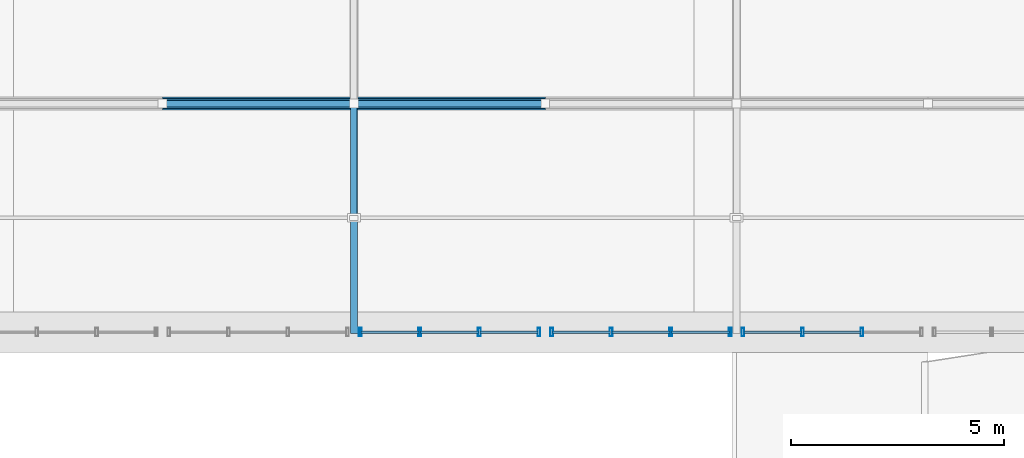
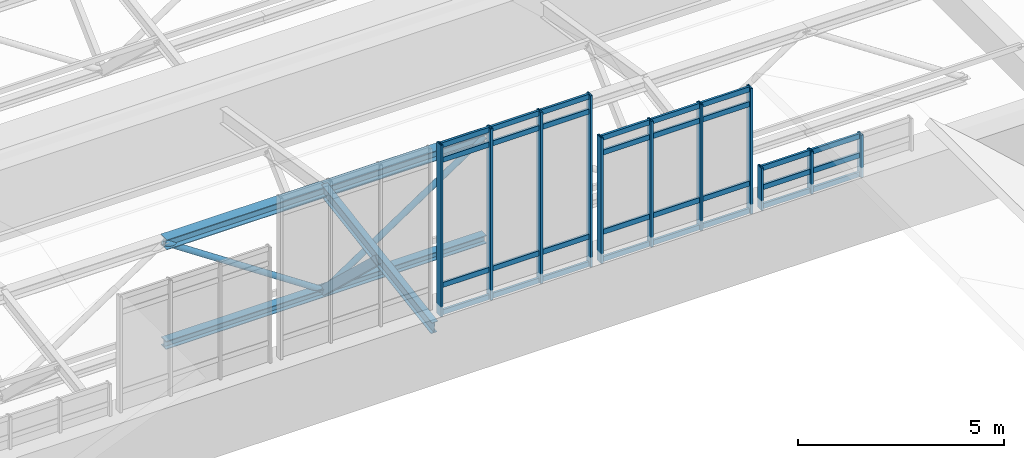
# One storey, part 52 of 82: 49 members, 3 elements without a shape of their own.
"""IFC4 building model written with IfcOpenShell, lengths in metres."""

from ifc_helpers import new_model, si_unit, direction, frame, origin, origin_2d, place, context, subcontext, project, spatial, hollow_rectangle, hollow_circle, i_section, extrude, material, layer, layer_set, material_profile, profile_set, type_object, element, aggregate, save


model = new_model("IFC4")

# Units and contexts
model_context = context("Model", 3, precision=1e-05, world=origin(), true_north=direction((0.0, 1.0)))
body_context = subcontext(model_context, "Body", "Model", "MODEL_VIEW")
ifc_project = project(units=[si_unit("LENGTHUNIT", "METRE"), si_unit("AREAUNIT", "SQUARE_METRE"), si_unit("VOLUMEUNIT", "CUBIC_METRE"), si_unit("PLANEANGLEUNIT", "RADIAN"), si_unit("MASSUNIT", "GRAM", prefix="KILO")], contexts=[model_context])

# Site, building, storey
site_placement = place(None, origin())
site = spatial("IfcSite", under=ifc_project, at=site_placement, CompositionType="ELEMENT")
building_placement = place(site_placement, origin())
building = spatial("IfcBuilding", under=site, at=building_placement, Name="Mersad Railyard Sports Hall", CompositionType="ELEMENT")
storey_placement = place(building_placement, frame((0.0, 0.0, 13.199951171875)))
storey = spatial("IfcBuildingStorey", under=building, at=storey_placement, Name="L03", CompositionType="ELEMENT", Elevation=13.199951171875)

# Curtain wall, members
ifc_material_1 = material(Name="Aluminium 6063-T6", Category="aluminium")
ifc_layer_1 = layer(ifc_material_1, 0.199951171875)
ifc_layer_set_1 = layer_set([ifc_layer_1], Name="Aluminium 6063-T6")
curtain_wall_type_1 = type_object("IfcCurtainWallType", Name="ARC-CW-CW47", PredefinedType="USERDEFINED", material=ifc_layer_set_1)
curtain_wall_1_placement = place(storey_placement, origin())
curtain_wall_1 = element("IfcCurtainWall", 1, at=curtain_wall_1_placement, inside=storey, type_object=curtain_wall_type_1, Name="Curtain wall CW47-0121", ObjectType="CURTAIN WALL", PredefinedType="USERDEFINED")
ifc_material_profile_1 = material_profile(ifc_material_1, hollow_rectangle(XDim=0.06494140625, YDim=0.199951171875, WallThickness=0.0048828125, at=origin_2d()), Name="AL MULLION 65x200x5")
ifc_profile_set_1 = profile_set([ifc_material_profile_1], Name="Aluminium 6063-T6")
member_type_1 = type_object("IfcMemberType", Name="ARC-CW-MUL02", PredefinedType="MULLION", material=ifc_profile_set_1)
member_1_placement = place(storey_placement, frame((155.14990234375, 73.5, 1.330078125), z_axis=(0.0, 0.0, 1.0), x_axis=(1.0, 0.0, 0.0)))
member_1 = element("IfcMember", 2, at=member_1_placement, type_object=member_type_1, Name="CW47 Mullion 1", PredefinedType="MULLION", context=body_context, shape_type="SweptSolid", body=[
    extrude(hollow_rectangle(XDim=0.06494140625, YDim=0.199951171875, WallThickness=0.0048828125, at=origin_2d()), origin(), (0.0, 0.0, 1.0), 5.0849609375),
])
member_2_placement = place(storey_placement, frame((156.550048828125, 73.5, 1.330078125), z_axis=(0.0, 0.0, 1.0), x_axis=(1.0, 0.0, 0.0)))
member_2 = element("IfcMember", 3, at=member_2_placement, type_object=member_type_1, Name="CW47 Mullion 2", PredefinedType="MULLION", context=body_context, shape_type="SweptSolid", body=[
    extrude(hollow_rectangle(XDim=0.06494140625, YDim=0.199951171875, WallThickness=0.0048828125, at=origin_2d()), origin(), (0.0, 0.0, 1.0), 5.0849609375),
])
member_3_placement = place(storey_placement, frame((157.949951171875, 73.5, 1.330078125), z_axis=(0.0, 0.0, 1.0), x_axis=(1.0, 0.0, 0.0)))
member_3 = element("IfcMember", 4, at=member_3_placement, type_object=member_type_1, Name="CW47 Mullion 3", PredefinedType="MULLION", context=body_context, shape_type="SweptSolid", body=[
    extrude(hollow_rectangle(XDim=0.06494140625, YDim=0.199951171875, WallThickness=0.0048828125, at=origin_2d()), origin(), (0.0, 0.0, 1.0), 5.0849609375),
])
member_4_placement = place(storey_placement, frame((159.35009765625, 73.5, 1.330078125), z_axis=(0.0, 0.0, 1.0), x_axis=(1.0, 0.0, 0.0)))
member_4 = element("IfcMember", 5, at=member_4_placement, type_object=member_type_1, Name="CW47 Mullion 4", PredefinedType="MULLION", context=body_context, shape_type="SweptSolid", body=[
    extrude(hollow_rectangle(XDim=0.06494140625, YDim=0.199951171875, WallThickness=0.0048828125, at=origin_2d()), origin(), (0.0, 0.0, 1.0), 5.0849609375),
])

ifc_layer_2 = layer(ifc_material_1, 0.199951171875)
ifc_layer_set_2 = layer_set([ifc_layer_2], Name="Aluminium 6063-T6")
curtain_wall_type_2 = type_object("IfcCurtainWallType", Name="ARC-CW-CW45", PredefinedType="USERDEFINED", material=ifc_layer_set_2)
curtain_wall_2_placement = place(storey_placement, origin())
curtain_wall_2 = element("IfcCurtainWall", 6, at=curtain_wall_2_placement, inside=storey, type_object=curtain_wall_type_2, Name="Curtain wall CW45-0123", ObjectType="CURTAIN WALL", PredefinedType="USERDEFINED")
member_5_placement = place(storey_placement, frame((159.64990234375, 73.5, 1.330078125), z_axis=(0.0, 0.0, 1.0), x_axis=(1.0, 0.0, 0.0)))
member_5 = element("IfcMember", 7, at=member_5_placement, type_object=member_type_1, Name="CW45 Mullion 1", PredefinedType="MULLION", context=body_context, shape_type="SweptSolid", body=[
    extrude(hollow_rectangle(XDim=0.06494140625, YDim=0.199951171875, WallThickness=0.0048828125, at=origin_2d()), origin(), (0.0, 0.0, 1.0), 3.72705078125),
])
member_6_placement = place(storey_placement, frame((161.050048828125, 73.5, 1.330078125), z_axis=(0.0, 0.0, 1.0), x_axis=(1.0, 0.0, 0.0)))
member_6 = element("IfcMember", 8, at=member_6_placement, type_object=member_type_1, Name="CW45 Mullion 2", PredefinedType="MULLION", context=body_context, shape_type="SweptSolid", body=[
    extrude(hollow_rectangle(XDim=0.06494140625, YDim=0.199951171875, WallThickness=0.0048828125, at=origin_2d()), origin(), (0.0, 0.0, 1.0), 3.72705078125),
])
member_7_placement = place(storey_placement, frame((162.449951171875, 73.5, 1.330078125), z_axis=(0.0, 0.0, 1.0), x_axis=(1.0, 0.0, 0.0)))
member_7 = element("IfcMember", 9, at=member_7_placement, type_object=member_type_1, Name="CW45 Mullion 3", PredefinedType="MULLION", context=body_context, shape_type="SweptSolid", body=[
    extrude(hollow_rectangle(XDim=0.06494140625, YDim=0.199951171875, WallThickness=0.0048828125, at=origin_2d()), origin(), (0.0, 0.0, 1.0), 3.72705078125),
])
member_8_placement = place(storey_placement, frame((163.85009765625, 73.5, 1.330078125), z_axis=(0.0, 0.0, 1.0), x_axis=(1.0, 0.0, 0.0)))
member_8 = element("IfcMember", 10, at=member_8_placement, type_object=member_type_1, Name="CW45 Mullion 4", PredefinedType="MULLION", context=body_context, shape_type="SweptSolid", body=[
    extrude(hollow_rectangle(XDim=0.06494140625, YDim=0.199951171875, WallThickness=0.0048828125, at=origin_2d()), origin(), (0.0, 0.0, 1.0), 3.72705078125),
])

ifc_layer_3 = layer(ifc_material_1, 0.199951171875)
ifc_layer_set_3 = layer_set([ifc_layer_3], Name="Aluminium 6063-T6")
curtain_wall_type_3 = type_object("IfcCurtainWallType", Name="ARC-CW-CW43", PredefinedType="USERDEFINED", material=ifc_layer_set_3)
curtain_wall_3_placement = place(storey_placement, origin())
curtain_wall_3 = element("IfcCurtainWall", 11, at=curtain_wall_3_placement, inside=storey, type_object=curtain_wall_type_3, Name="Curtain wall CW43-0125", ObjectType="CURTAIN WALL", PredefinedType="USERDEFINED")
member_9_placement = place(storey_placement, frame((164.14990234375, 73.5, 1.330078125), z_axis=(0.0, 0.0, 1.0), x_axis=(1.0, 0.0, 0.0)))
member_9 = element("IfcMember", 12, at=member_9_placement, type_object=member_type_1, Name="CW43 Mullion 1", PredefinedType="MULLION", context=body_context, shape_type="SweptSolid", body=[
    extrude(hollow_rectangle(XDim=0.06494140625, YDim=0.199951171875, WallThickness=0.0048828125, at=origin_2d()), origin(), (0.0, 0.0, 1.0), 1.251953125),
])
member_10_placement = place(storey_placement, frame((165.550048828125, 73.5, 1.330078125), z_axis=(0.0, 0.0, 1.0), x_axis=(1.0, 0.0, 0.0)))
member_10 = element("IfcMember", 13, at=member_10_placement, type_object=member_type_1, Name="CW43 Mullion 2", PredefinedType="MULLION", context=body_context, shape_type="SweptSolid", body=[
    extrude(hollow_rectangle(XDim=0.06494140625, YDim=0.199951171875, WallThickness=0.0048828125, at=origin_2d()), origin(), (0.0, 0.0, 1.0), 1.251953125),
])
member_11_placement = place(storey_placement, frame((166.949951171875, 73.5, 1.330078125), z_axis=(0.0, 0.0, 1.0), x_axis=(1.0, 0.0, 0.0)))
member_11 = element("IfcMember", 14, at=member_11_placement, type_object=member_type_1, Name="CW43 Mullion 3", PredefinedType="MULLION", context=body_context, shape_type="SweptSolid", body=[
    extrude(hollow_rectangle(XDim=0.06494140625, YDim=0.199951171875, WallThickness=0.0048828125, at=origin_2d()), origin(), (0.0, 0.0, 1.0), 1.251953125),
])

# Member
ifc_material_profile_2 = material_profile(ifc_material_1, hollow_rectangle(XDim=0.06494140625, YDim=0.14990234375, WallThickness=0.00439453125, at=origin_2d()), Name="AL TRANSOM 65x150x4.5")
ifc_profile_set_2 = profile_set([ifc_material_profile_2], Name="Aluminium 6063-T6")
member_type_2 = type_object("IfcMemberType", Name="ARC-CW-TRN02", PredefinedType="USERDEFINED", material=ifc_profile_set_2)
member_12_placement = place(storey_placement, frame((155.169921875, 73.5, 1.39013671875), z_axis=(1.0, 0.0, 0.0), x_axis=(0.0, 1.0, 0.0)))
member_12 = element("IfcMember", 15, at=member_12_placement, type_object=member_type_2, Name="CW47 Transom 1-1", ObjectType="TRANSOM", PredefinedType="USERDEFINED", context=body_context, shape_type="SweptSolid", body=[
    extrude(hollow_rectangle(XDim=0.06494140625, YDim=0.14990234375, WallThickness=0.00439453125, at=origin_2d()), origin(), (0.0, 0.0, 1.0), 1.360107421875),
])

member_13_placement = place(storey_placement, frame((156.570068359375, 73.5, 1.39013671875), z_axis=(1.0, 0.0, 0.0), x_axis=(0.0, 1.0, 0.0)))
member_13 = element("IfcMember", 16, at=member_13_placement, type_object=member_type_2, Name="CW47 Transom 1-2", ObjectType="TRANSOM", PredefinedType="USERDEFINED", context=body_context, shape_type="SweptSolid", body=[
    extrude(hollow_rectangle(XDim=0.06494140625, YDim=0.14990234375, WallThickness=0.00439453125, at=origin_2d()), origin(), (0.0, 0.0, 1.0), 1.35986328125),
])

member_14_placement = place(storey_placement, frame((157.969970703125, 73.5, 1.39013671875), z_axis=(1.0, 0.0, 0.0), x_axis=(0.0, 1.0, 0.0)))
member_14 = element("IfcMember", 17, at=member_14_placement, type_object=member_type_2, Name="CW47 Transom 1-3", ObjectType="TRANSOM", PredefinedType="USERDEFINED", context=body_context, shape_type="SweptSolid", body=[
    extrude(hollow_rectangle(XDim=0.06494140625, YDim=0.14990234375, WallThickness=0.00439453125, at=origin_2d()), origin(), (0.0, 0.0, 1.0), 1.360107421875),
])

member_15_placement = place(storey_placement, frame((155.169921875, 73.5, 2.199951171875), z_axis=(1.0, 0.0, 0.0), x_axis=(0.0, 1.0, 0.0)))
member_15 = element("IfcMember", 18, at=member_15_placement, type_object=member_type_2, Name="CW47 Transom 2-1", ObjectType="TRANSOM", PredefinedType="USERDEFINED", context=body_context, shape_type="SweptSolid", body=[
    extrude(hollow_rectangle(XDim=0.06494140625, YDim=0.14990234375, WallThickness=0.00439453125, at=origin_2d()), origin(), (0.0, 0.0, 1.0), 1.360107421875),
])

member_16_placement = place(storey_placement, frame((156.570068359375, 73.5, 2.199951171875), z_axis=(1.0, 0.0, 0.0), x_axis=(0.0, 1.0, 0.0)))
member_16 = element("IfcMember", 19, at=member_16_placement, type_object=member_type_2, Name="CW47 Transom 2-2", ObjectType="TRANSOM", PredefinedType="USERDEFINED", context=body_context, shape_type="SweptSolid", body=[
    extrude(hollow_rectangle(XDim=0.06494140625, YDim=0.14990234375, WallThickness=0.00439453125, at=origin_2d()), origin(), (0.0, 0.0, 1.0), 1.35986328125),
])

member_17_placement = place(storey_placement, frame((157.969970703125, 73.5, 2.199951171875), z_axis=(1.0, 0.0, 0.0), x_axis=(0.0, 1.0, 0.0)))
member_17 = element("IfcMember", 20, at=member_17_placement, type_object=member_type_2, Name="CW47 Transom 2-3", ObjectType="TRANSOM", PredefinedType="USERDEFINED", context=body_context, shape_type="SweptSolid", body=[
    extrude(hollow_rectangle(XDim=0.06494140625, YDim=0.14990234375, WallThickness=0.00439453125, at=origin_2d()), origin(), (0.0, 0.0, 1.0), 1.360107421875),
])

member_18_placement = place(storey_placement, frame((155.169921875, 73.5, 5.9150390625), z_axis=(1.0, 0.0, 0.0), x_axis=(0.0, 1.0, 0.0)))
member_18 = element("IfcMember", 21, at=member_18_placement, type_object=member_type_2, Name="CW47 Transom 3-1", ObjectType="TRANSOM", PredefinedType="USERDEFINED", context=body_context, shape_type="SweptSolid", body=[
    extrude(hollow_rectangle(XDim=0.06494140625, YDim=0.14990234375, WallThickness=0.00439453125, at=origin_2d()), origin(), (0.0, 0.0, 1.0), 1.360107421875),
])

member_19_placement = place(storey_placement, frame((156.570068359375, 73.5, 5.9150390625), z_axis=(1.0, 0.0, 0.0), x_axis=(0.0, 1.0, 0.0)))
member_19 = element("IfcMember", 22, at=member_19_placement, type_object=member_type_2, Name="CW47 Transom 3-2", ObjectType="TRANSOM", PredefinedType="USERDEFINED", context=body_context, shape_type="SweptSolid", body=[
    extrude(hollow_rectangle(XDim=0.06494140625, YDim=0.14990234375, WallThickness=0.00439453125, at=origin_2d()), origin(), (0.0, 0.0, 1.0), 1.35986328125),
])

member_20_placement = place(storey_placement, frame((157.969970703125, 73.5, 5.9150390625), z_axis=(1.0, 0.0, 0.0), x_axis=(0.0, 1.0, 0.0)))
member_20 = element("IfcMember", 23, at=member_20_placement, type_object=member_type_2, Name="CW47 Transom 3-3", ObjectType="TRANSOM", PredefinedType="USERDEFINED", context=body_context, shape_type="SweptSolid", body=[
    extrude(hollow_rectangle(XDim=0.06494140625, YDim=0.14990234375, WallThickness=0.00439453125, at=origin_2d()), origin(), (0.0, 0.0, 1.0), 1.360107421875),
])

member_21_placement = place(storey_placement, frame((155.169921875, 73.5, 6.35498046875), z_axis=(1.0, 0.0, 0.0), x_axis=(0.0, 1.0, 0.0)))
member_21 = element("IfcMember", 24, at=member_21_placement, type_object=member_type_2, Name="CW47 Transom 4-1", ObjectType="TRANSOM", PredefinedType="USERDEFINED", context=body_context, shape_type="SweptSolid", body=[
    extrude(hollow_rectangle(XDim=0.06494140625, YDim=0.14990234375, WallThickness=0.00439453125, at=origin_2d()), origin(), (0.0, 0.0, 1.0), 1.360107421875),
])

member_22_placement = place(storey_placement, frame((156.570068359375, 73.5, 6.35498046875), z_axis=(1.0, 0.0, 0.0), x_axis=(0.0, 1.0, 0.0)))
member_22 = element("IfcMember", 25, at=member_22_placement, type_object=member_type_2, Name="CW47 Transom 4-2", ObjectType="TRANSOM", PredefinedType="USERDEFINED", context=body_context, shape_type="SweptSolid", body=[
    extrude(hollow_rectangle(XDim=0.06494140625, YDim=0.14990234375, WallThickness=0.00439453125, at=origin_2d()), origin(), (0.0, 0.0, 1.0), 1.35986328125),
])

member_23_placement = place(storey_placement, frame((157.969970703125, 73.5, 6.35498046875), z_axis=(1.0, 0.0, 0.0), x_axis=(0.0, 1.0, 0.0)))
member_23 = element("IfcMember", 26, at=member_23_placement, type_object=member_type_2, Name="CW47 Transom 4-3", ObjectType="TRANSOM", PredefinedType="USERDEFINED", context=body_context, shape_type="SweptSolid", body=[
    extrude(hollow_rectangle(XDim=0.06494140625, YDim=0.14990234375, WallThickness=0.00439453125, at=origin_2d()), origin(), (0.0, 0.0, 1.0), 1.360107421875),
])

aggregate(curtain_wall_1, [member_1, member_2, member_3, member_4, member_12, member_13, member_14, member_15, member_16, member_17, member_18, member_19, member_20, member_21, member_22, member_23])

member_24_placement = place(storey_placement, frame((159.669921875, 73.5, 1.39013671875), z_axis=(1.0, 0.0, 0.0), x_axis=(0.0, 1.0, 0.0)))
member_24 = element("IfcMember", 27, at=member_24_placement, type_object=member_type_2, Name="CW45 Transom 1-1", ObjectType="TRANSOM", PredefinedType="USERDEFINED", context=body_context, shape_type="SweptSolid", body=[
    extrude(hollow_rectangle(XDim=0.06494140625, YDim=0.14990234375, WallThickness=0.00439453125, at=origin_2d()), origin(), (0.0, 0.0, 1.0), 1.360107421875),
])

member_25_placement = place(storey_placement, frame((161.070068359375, 73.5, 1.39013671875), z_axis=(1.0, 0.0, 0.0), x_axis=(0.0, 1.0, 0.0)))
member_25 = element("IfcMember", 28, at=member_25_placement, type_object=member_type_2, Name="CW45 Transom 1-2", ObjectType="TRANSOM", PredefinedType="USERDEFINED", context=body_context, shape_type="SweptSolid", body=[
    extrude(hollow_rectangle(XDim=0.06494140625, YDim=0.14990234375, WallThickness=0.00439453125, at=origin_2d()), origin(), (0.0, 0.0, 1.0), 1.35986328125),
])

member_26_placement = place(storey_placement, frame((162.469970703125, 73.5, 1.39013671875), z_axis=(1.0, 0.0, 0.0), x_axis=(0.0, 1.0, 0.0)))
member_26 = element("IfcMember", 29, at=member_26_placement, type_object=member_type_2, Name="CW45 Transom 1-3", ObjectType="TRANSOM", PredefinedType="USERDEFINED", context=body_context, shape_type="SweptSolid", body=[
    extrude(hollow_rectangle(XDim=0.06494140625, YDim=0.14990234375, WallThickness=0.00439453125, at=origin_2d()), origin(), (0.0, 0.0, 1.0), 1.360107421875),
])

member_27_placement = place(storey_placement, frame((159.669921875, 73.5, 2.199951171875), z_axis=(1.0, 0.0, 0.0), x_axis=(0.0, 1.0, 0.0)))
member_27 = element("IfcMember", 30, at=member_27_placement, type_object=member_type_2, Name="CW45 Transom 2-1", ObjectType="TRANSOM", PredefinedType="USERDEFINED", context=body_context, shape_type="SweptSolid", body=[
    extrude(hollow_rectangle(XDim=0.06494140625, YDim=0.14990234375, WallThickness=0.00439453125, at=origin_2d()), origin(), (0.0, 0.0, 1.0), 1.360107421875),
])

member_28_placement = place(storey_placement, frame((161.070068359375, 73.5, 2.199951171875), z_axis=(1.0, 0.0, 0.0), x_axis=(0.0, 1.0, 0.0)))
member_28 = element("IfcMember", 31, at=member_28_placement, type_object=member_type_2, Name="CW45 Transom 2-2", ObjectType="TRANSOM", PredefinedType="USERDEFINED", context=body_context, shape_type="SweptSolid", body=[
    extrude(hollow_rectangle(XDim=0.06494140625, YDim=0.14990234375, WallThickness=0.00439453125, at=origin_2d()), origin(), (0.0, 0.0, 1.0), 1.35986328125),
])

member_29_placement = place(storey_placement, frame((162.469970703125, 73.5, 2.199951171875), z_axis=(1.0, 0.0, 0.0), x_axis=(0.0, 1.0, 0.0)))
member_29 = element("IfcMember", 32, at=member_29_placement, type_object=member_type_2, Name="CW45 Transom 2-3", ObjectType="TRANSOM", PredefinedType="USERDEFINED", context=body_context, shape_type="SweptSolid", body=[
    extrude(hollow_rectangle(XDim=0.06494140625, YDim=0.14990234375, WallThickness=0.00439453125, at=origin_2d()), origin(), (0.0, 0.0, 1.0), 1.360107421875),
])

member_30_placement = place(storey_placement, frame((159.669921875, 73.5, 4.55712890625), z_axis=(1.0, 0.0, 0.0), x_axis=(0.0, 1.0, 0.0)))
member_30 = element("IfcMember", 33, at=member_30_placement, type_object=member_type_2, Name="CW45 Transom 3-1", ObjectType="TRANSOM", PredefinedType="USERDEFINED", context=body_context, shape_type="SweptSolid", body=[
    extrude(hollow_rectangle(XDim=0.06494140625, YDim=0.14990234375, WallThickness=0.00439453125, at=origin_2d()), origin(), (0.0, 0.0, 1.0), 1.360107421875),
])

member_31_placement = place(storey_placement, frame((161.070068359375, 73.5, 4.55712890625), z_axis=(1.0, 0.0, 0.0), x_axis=(0.0, 1.0, 0.0)))
member_31 = element("IfcMember", 34, at=member_31_placement, type_object=member_type_2, Name="CW45 Transom 3-2", ObjectType="TRANSOM", PredefinedType="USERDEFINED", context=body_context, shape_type="SweptSolid", body=[
    extrude(hollow_rectangle(XDim=0.06494140625, YDim=0.14990234375, WallThickness=0.00439453125, at=origin_2d()), origin(), (0.0, 0.0, 1.0), 1.35986328125),
])

member_32_placement = place(storey_placement, frame((162.469970703125, 73.5, 4.55712890625), z_axis=(1.0, 0.0, 0.0), x_axis=(0.0, 1.0, 0.0)))
member_32 = element("IfcMember", 35, at=member_32_placement, type_object=member_type_2, Name="CW45 Transom 3-3", ObjectType="TRANSOM", PredefinedType="USERDEFINED", context=body_context, shape_type="SweptSolid", body=[
    extrude(hollow_rectangle(XDim=0.06494140625, YDim=0.14990234375, WallThickness=0.00439453125, at=origin_2d()), origin(), (0.0, 0.0, 1.0), 1.360107421875),
])

member_33_placement = place(storey_placement, frame((159.669921875, 73.5, 4.9970703125), z_axis=(1.0, 0.0, 0.0), x_axis=(0.0, 1.0, 0.0)))
member_33 = element("IfcMember", 36, at=member_33_placement, type_object=member_type_2, Name="CW45 Transom 4-1", ObjectType="TRANSOM", PredefinedType="USERDEFINED", context=body_context, shape_type="SweptSolid", body=[
    extrude(hollow_rectangle(XDim=0.06494140625, YDim=0.14990234375, WallThickness=0.00439453125, at=origin_2d()), origin(), (0.0, 0.0, 1.0), 1.360107421875),
])

member_34_placement = place(storey_placement, frame((161.070068359375, 73.5, 4.9970703125), z_axis=(1.0, 0.0, 0.0), x_axis=(0.0, 1.0, 0.0)))
member_34 = element("IfcMember", 37, at=member_34_placement, type_object=member_type_2, Name="CW45 Transom 4-2", ObjectType="TRANSOM", PredefinedType="USERDEFINED", context=body_context, shape_type="SweptSolid", body=[
    extrude(hollow_rectangle(XDim=0.06494140625, YDim=0.14990234375, WallThickness=0.00439453125, at=origin_2d()), origin(), (0.0, 0.0, 1.0), 1.35986328125),
])

member_35_placement = place(storey_placement, frame((162.469970703125, 73.5, 4.9970703125), z_axis=(1.0, 0.0, 0.0), x_axis=(0.0, 1.0, 0.0)))
member_35 = element("IfcMember", 38, at=member_35_placement, type_object=member_type_2, Name="CW45 Transom 4-3", ObjectType="TRANSOM", PredefinedType="USERDEFINED", context=body_context, shape_type="SweptSolid", body=[
    extrude(hollow_rectangle(XDim=0.06494140625, YDim=0.14990234375, WallThickness=0.00439453125, at=origin_2d()), origin(), (0.0, 0.0, 1.0), 1.360107421875),
])

aggregate(curtain_wall_2, [member_5, member_6, member_7, member_8, member_24, member_25, member_26, member_27, member_28, member_29, member_30, member_31, member_32, member_33, member_34, member_35])

member_36_placement = place(storey_placement, frame((164.169921875, 73.5, 1.39013671875), z_axis=(1.0, 0.0, 0.0), x_axis=(0.0, 1.0, 0.0)))
member_36 = element("IfcMember", 39, at=member_36_placement, type_object=member_type_2, Name="CW43 Transom 1-1", ObjectType="TRANSOM", PredefinedType="USERDEFINED", context=body_context, shape_type="SweptSolid", body=[
    extrude(hollow_rectangle(XDim=0.06494140625, YDim=0.14990234375, WallThickness=0.00439453125, at=origin_2d()), origin(), (0.0, 0.0, 1.0), 1.360107421875),
])

member_37_placement = place(storey_placement, frame((165.570068359375, 73.5, 1.39013671875), z_axis=(1.0, 0.0, 0.0), x_axis=(0.0, 1.0, 0.0)))
member_37 = element("IfcMember", 40, at=member_37_placement, type_object=member_type_2, Name="CW43 Transom 1-2", ObjectType="TRANSOM", PredefinedType="USERDEFINED", context=body_context, shape_type="SweptSolid", body=[
    extrude(hollow_rectangle(XDim=0.06494140625, YDim=0.14990234375, WallThickness=0.00439453125, at=origin_2d()), origin(), (0.0, 0.0, 1.0), 1.35986328125),
])

member_38_placement = place(storey_placement, frame((164.169921875, 73.5, 1.9560546875), z_axis=(1.0, 0.0, 0.0), x_axis=(0.0, 1.0, 0.0)))
member_38 = element("IfcMember", 41, at=member_38_placement, type_object=member_type_2, Name="CW43 Transom 2-1", ObjectType="TRANSOM", PredefinedType="USERDEFINED", context=body_context, shape_type="SweptSolid", body=[
    extrude(hollow_rectangle(XDim=0.06494140625, YDim=0.14990234375, WallThickness=0.00439453125, at=origin_2d()), origin(), (0.0, 0.0, 1.0), 1.360107421875),
])

member_39_placement = place(storey_placement, frame((165.570068359375, 73.5, 1.9560546875), z_axis=(1.0, 0.0, 0.0), x_axis=(0.0, 1.0, 0.0)))
member_39 = element("IfcMember", 42, at=member_39_placement, type_object=member_type_2, Name="CW43 Transom 2-2", ObjectType="TRANSOM", PredefinedType="USERDEFINED", context=body_context, shape_type="SweptSolid", body=[
    extrude(hollow_rectangle(XDim=0.06494140625, YDim=0.14990234375, WallThickness=0.00439453125, at=origin_2d()), origin(), (0.0, 0.0, 1.0), 1.35986328125),
])

member_40_placement = place(storey_placement, frame((164.169921875, 73.5, 2.52197265625), z_axis=(1.0, 0.0, 0.0), x_axis=(0.0, 1.0, 0.0)))
member_40 = element("IfcMember", 43, at=member_40_placement, type_object=member_type_2, Name="CW43 Transom 3-1", ObjectType="TRANSOM", PredefinedType="USERDEFINED", context=body_context, shape_type="SweptSolid", body=[
    extrude(hollow_rectangle(XDim=0.06494140625, YDim=0.14990234375, WallThickness=0.00439453125, at=origin_2d()), origin(), (0.0, 0.0, 1.0), 1.360107421875),
])

member_41_placement = place(storey_placement, frame((165.570068359375, 73.5, 2.52197265625), z_axis=(1.0, 0.0, 0.0), x_axis=(0.0, 1.0, 0.0)))
member_41 = element("IfcMember", 44, at=member_41_placement, type_object=member_type_2, Name="CW43 Transom 3-2", ObjectType="TRANSOM", PredefinedType="USERDEFINED", context=body_context, shape_type="SweptSolid", body=[
    extrude(hollow_rectangle(XDim=0.06494140625, YDim=0.14990234375, WallThickness=0.00439453125, at=origin_2d()), origin(), (0.0, 0.0, 1.0), 1.35986328125),
])

aggregate(curtain_wall_3, [member_9, member_10, member_11, member_36, member_37, member_38, member_39, member_40, member_41])

# Members
ifc_material_2 = material(Name="Steel S355", Category="steel")
ifc_material_profile_3 = material_profile(ifc_material_2, hollow_circle(Radius=0.084228515625, WallThickness=0.008056640625, at=origin_2d()), Name="CHS 168.3x8")
ifc_profile_set_3 = profile_set([ifc_material_profile_3], Name="Steel S355")
member_type_3 = type_object("IfcMemberType", Name="STR-MEM-BR03", PredefinedType="BRACE", material=ifc_profile_set_3)
for number, where, z_axis, x_axis, name in (
    (45, (150.5, 78.875, 1.85009765625), (0.832050294338, 0.0, -0.554700196225), (0.0, 1.0, 0.0), "Structural member BR03-0225"),
    (46, (155.0, 78.875, -1.14990234375), (0.832050294338, 0.0, 0.554700196225), (0.0, 1.0, 0.0), "Structural member BR03-0228"),
):
    element("IfcMember", number, at=place(storey_placement, frame(where, z_axis=z_axis, x_axis=x_axis)), inside=storey, type_object=member_type_3, Name=name, PredefinedType="BRACE", context=body_context, shape_type="SweptSolid", body=[
        extrude(hollow_circle(Radius=0.084228515625, WallThickness=0.008056640625, at=origin_2d()), origin(), (0.0, 0.0, 1.0), 5.408447265625),
    ])
ifc_material_profile_4 = material_profile(ifc_material_2, i_section(OverallWidth=0.239990234375, OverallDepth=0.239990234375, WebThickness=0.010009765625, FlangeThickness=0.01708984375, at=origin_2d()), Name="HEB 240")
ifc_profile_set_4 = profile_set([ifc_material_profile_4], Name="Steel S355")
member_type_4 = type_object("IfcMemberType", Name="STR-MEM-CH01", PredefinedType="CHORD", material=ifc_profile_set_4)
for number, where, z_axis, x_axis, name in (
    (47, (150.5, 78.875, -1.14990234375), (1.0, 0.0, 0.0), (0.0, 1.0, 0.0), "Structural member CH01-0224"),
    (48, (155.0, 78.875, -1.14990234375), (1.0, 0.0, 0.0), (0.0, 1.0, 0.0), "Structural member CH01-0227"),
):
    element("IfcMember", number, at=place(storey_placement, frame(where, z_axis=z_axis, x_axis=x_axis)), inside=storey, type_object=member_type_4, Name=name, PredefinedType="CHORD", context=body_context, shape_type="SweptSolid", body=[
        extrude(i_section(OverallWidth=0.239990234375, OverallDepth=0.239990234375, WebThickness=0.010009765625, FlangeThickness=0.01708984375, at=origin_2d()), origin(), (0.0, 0.0, 1.0), 4.5),
    ])
ifc_material_profile_5 = material_profile(ifc_material_2, i_section(OverallWidth=0.300048828125, OverallDepth=0.300048828125, WebThickness=0.010986328125, FlangeThickness=0.01904296875, at=origin_2d()), Name="HEB 300")
ifc_profile_set_5 = profile_set([ifc_material_profile_5], Name="Steel S355")
member_type_5 = type_object("IfcMemberType", Name="STR-MEM-CH02", PredefinedType="CHORD", material=ifc_profile_set_5)
for number, where, z_axis, x_axis, name in (
    (49, (150.5, 78.875, 1.85009765625), (1.0, 0.0, 0.0), (0.0, 1.0, 0.0), "Structural member CH02-0223"),
    (50, (155.0, 78.875, 1.85009765625), (1.0, 0.0, 0.0), (0.0, 1.0, 0.0), "Structural member CH02-0226"),
):
    element("IfcMember", number, at=place(storey_placement, frame(where, z_axis=z_axis, x_axis=x_axis)), inside=storey, type_object=member_type_5, Name=name, PredefinedType="CHORD", context=body_context, shape_type="SweptSolid", body=[
        extrude(i_section(OverallWidth=0.300048828125, OverallDepth=0.300048828125, WebThickness=0.010986328125, FlangeThickness=0.01904296875, at=origin_2d()), origin(), (0.0, 0.0, 1.0), 4.5),
    ])
ifc_material_profile_6 = material_profile(ifc_material_2, i_section(OverallWidth=0.169921875, OverallDepth=0.360107421875, WebThickness=0.008056640625, FlangeThickness=0.0126953125, at=origin_2d()), Name="IPE 360")
ifc_profile_set_6 = profile_set([ifc_material_profile_6], Name="Steel S355")
member_type_6 = type_object("IfcMemberType", Name="STR-MEM-RF01", PredefinedType="RAFTER", material=ifc_profile_set_6)
member_42_placement = place(storey_placement, frame((155.0, 73.5, 1.0), z_axis=(0.0, 0.9877229191, 0.156215988568), x_axis=(-1.0, 0.0, 0.0)))
element("IfcMember", 51, at=member_42_placement, inside=storey, type_object=member_type_6, Name="Structural member RF01-0242", PredefinedType="RAFTER", context=body_context, shape_type="SweptSolid", body=[
    extrude(i_section(OverallWidth=0.169921875, OverallDepth=0.360107421875, WebThickness=0.008056640625, FlangeThickness=0.0126953125, at=origin_2d()), origin(), (0.0, 0.0, 1.0), 5.44189453125),
])
ifc_material_profile_7 = material_profile(ifc_material_2, hollow_rectangle(XDim=0.14990234375, YDim=0.25, WallThickness=0.012451171875, at=origin_2d()), Name="RHS 250x150x12.5")
ifc_profile_set_7 = profile_set([ifc_material_profile_7], Name="Steel S355")
member_type_7 = type_object("IfcMemberType", Name="STR-MEM-SR02", PredefinedType="STRUT", material=ifc_profile_set_7)
member_43_placement = place(storey_placement, frame((155.0, 78.875, -1.14990234375), z_axis=(0.0, -0.72541391908, 0.688312898328), x_axis=(1.0, 0.0, 0.0)))
element("IfcMember", 52, at=member_43_placement, inside=storey, type_object=member_type_7, Name="Structural member SR02-0244", PredefinedType="STRUT", context=body_context, shape_type="SweptSolid", body=[
    extrude(hollow_rectangle(XDim=0.14990234375, YDim=0.25, WallThickness=0.012451171875, at=origin_2d()), origin(), (0.0, 0.0, 1.0), 3.704833984375),
])

save(model, "model.ifc")
